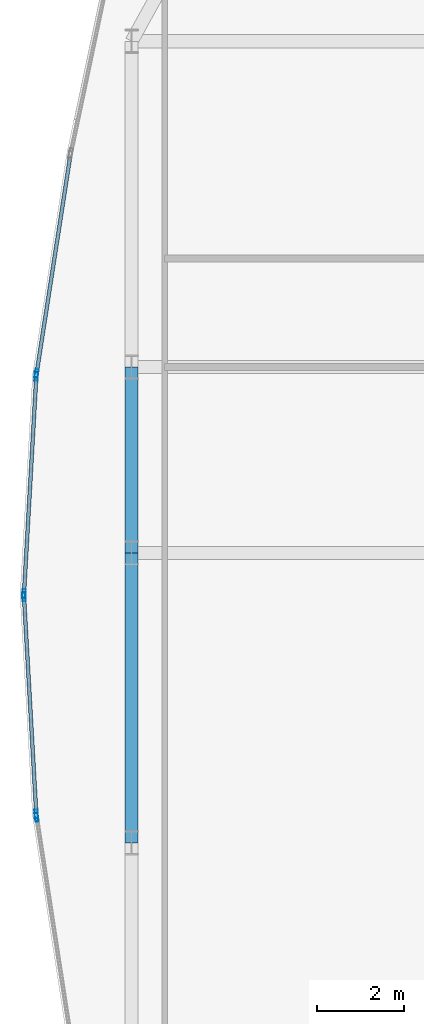
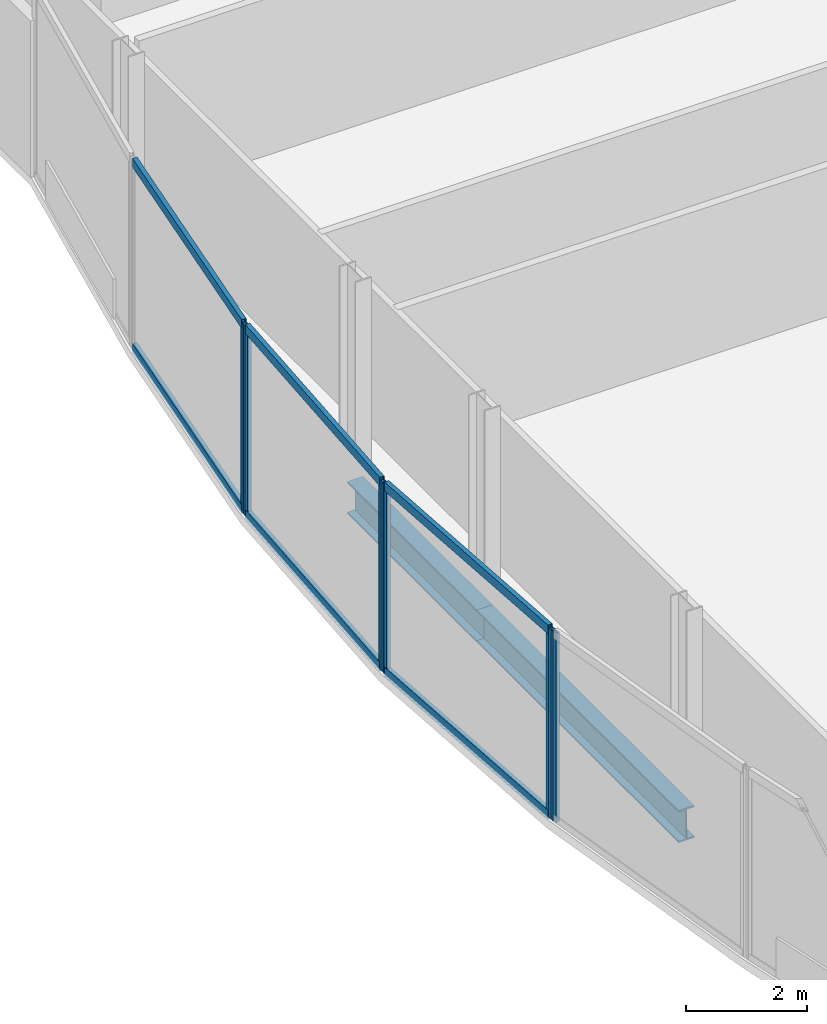
# One storey, part 10 of 35: 12 members, 2 beams, 4 elements without a shape of their own.
"""IFC4 building model written with IfcOpenShell, lengths in metres."""

from ifc_helpers import new_model, si_unit, direction, frame, origin, origin_2d, place, context, subcontext, project, spatial, hollow_rectangle, i_section, extrude, material, material_profile, profile_set, type_object, element, aggregate, save


model = new_model("IFC4")

# Units and contexts
model_context = context("Model", 3, precision=1e-05, world=origin(), true_north=direction((0.0, 1.0)))
body_context = subcontext(model_context, "Body", "Model", "MODEL_VIEW")
ifc_project = project(units=[si_unit("LENGTHUNIT", "METRE"), si_unit("AREAUNIT", "SQUARE_METRE"), si_unit("VOLUMEUNIT", "CUBIC_METRE"), si_unit("PLANEANGLEUNIT", "RADIAN"), si_unit("MASSUNIT", "GRAM", prefix="KILO")], contexts=[model_context])

# Site, building, storey
site_placement = place(None, origin())
site = spatial("IfcSite", under=ifc_project, at=site_placement, CompositionType="ELEMENT")
building_placement = place(site_placement, origin())
building = spatial("IfcBuilding", under=site, at=building_placement, Name="Khoronbel Lancet Exchange", CompositionType="ELEMENT")
storey_placement = place(building_placement, frame((0.0, 0.0, 53.800048828125)))
storey = spatial("IfcBuildingStorey", under=building, at=storey_placement, Name="L12", CompositionType="ELEMENT", Elevation=53.800048828125)

# Beams
ifc_material_1 = material(Name="Steel S355", Category="steel")
ifc_material_profile_1 = material_profile(ifc_material_1, i_section(OverallWidth=0.300048828125, OverallDepth=0.64990234375, WebThickness=0.01611328125, FlangeThickness=0.031005859375, at=origin_2d()), Name="HEB 650")
ifc_profile_set_1 = profile_set([ifc_material_profile_1], Name="Steel S355")
beam_type = type_object("IfcBeamType", Name="BM-BSP1", PredefinedType="SPANDREL", material=ifc_profile_set_1)
beam_1_placement = place(storey_placement, frame((1.27001953125, 35.699951171875, -0.505126953125), z_axis=(0.0, -1.0, 0.0), x_axis=(1.0, 0.0, 0.0)))
element("IfcBeam", 1, at=beam_1_placement, inside=storey, type_object=beam_type, Name="Level L12 perimeter spandrel beam SP18", PredefinedType="SPANDREL", context=body_context, shape_type="SweptSolid", body=[
    extrude(i_section(OverallWidth=0.300048828125, OverallDepth=0.64990234375, WebThickness=0.01611328125, FlangeThickness=0.031005859375, at=origin_2d()), origin(), (0.0, 0.0, 1.0), 4.27490234375),
])
beam_2_placement = place(storey_placement, frame((1.27001953125, 31.425048828125, -0.505126953125), z_axis=(0.0, -1.0, 0.0), x_axis=(1.0, 0.0, 0.0)))
element("IfcBeam", 2, at=beam_2_placement, inside=storey, type_object=beam_type, Name="Level L12 perimeter spandrel beam SP19", PredefinedType="SPANDREL", context=body_context, shape_type="SweptSolid", body=[
    extrude(i_section(OverallWidth=0.300048828125, OverallDepth=0.64990234375, WebThickness=0.01611328125, FlangeThickness=0.031005859375, at=origin_2d()), origin(), (0.0, 0.0, 1.0), 6.675048828125),
])

# Curtain wall, member
ifc_material_2 = material(Name="Low-E Solar Control Insulating Glass", Category="glass")
curtain_wall_type = type_object("IfcCurtainWallType", Name="CW-4", PredefinedType="NOTDEFINED", material=ifc_material_2)
curtain_wall_1_placement = place(storey_placement, origin())
curtain_wall_1 = element("IfcCurtainWall", 3, at=curtain_wall_1_placement, inside=storey, type_object=curtain_wall_type, Name="Unitised curtain wall CW-L12-E05", PredefinedType="NOTDEFINED")
ifc_material_3 = material(Name="Bronze-Anodised Aluminium 6063-T6", Category="aluminium")
ifc_material_profile_2 = material_profile(ifc_material_3, hollow_rectangle(XDim=0.074951171875, YDim=0.199951171875, WallThickness=0.0048828125, at=origin_2d()), Name="ALU MULLION 75x200")
ifc_profile_set_2 = profile_set([ifc_material_profile_2], Name="Bronze-Anodised Aluminium 6063-T6")
member_type_1 = type_object("IfcMemberType", Name="MEM-CWM2", PredefinedType="MULLION", material=ifc_profile_set_2)
member_1_placement = place(storey_placement, frame((-0.916748046875, 25.339111328125, 0.0), z_axis=(0.0, 0.0, 1.0), x_axis=(-0.988225870473, -0.153002055303, 0.0)))
member_1 = element("IfcMember", 4, at=member_1_placement, type_object=member_type_1, Name="CW4 mullion 2", PredefinedType="MULLION", context=body_context, shape_type="SweptSolid", body=[
    extrude(hollow_rectangle(XDim=0.074951171875, YDim=0.199951171875, WallThickness=0.0048828125, at=origin_2d()), origin(), (0.0, 0.0, 1.0), 3.820068359375),
])
aggregate(curtain_wall_1, [member_1])

# Curtain wall, members
curtain_wall_2_placement = place(storey_placement, origin())
curtain_wall_2 = element("IfcCurtainWall", 5, at=curtain_wall_2_placement, inside=storey, type_object=curtain_wall_type, Name="Unitised curtain wall CW-L12-E06", PredefinedType="NOTDEFINED")
member_2_placement = place(storey_placement, frame((-0.924560546875, 25.41357421875, 0.0), z_axis=(0.0, 0.0, 1.0), x_axis=(-0.998398471263, -0.056572896157, 0.0)))
member_2 = element("IfcMember", 6, at=member_2_placement, type_object=member_type_1, Name="CW4 mullion 1", PredefinedType="MULLION", context=body_context, shape_type="SweptSolid", body=[
    extrude(hollow_rectangle(XDim=0.074951171875, YDim=0.199951171875, WallThickness=0.0048828125, at=origin_2d()), origin(), (0.0, 0.0, 1.0), 3.820068359375),
])
member_3_placement = place(storey_placement, frame((-1.207763671875, 30.41259765625, 0.0), z_axis=(0.0, 0.0, 1.0), x_axis=(-0.998398471263, -0.056572896157, 0.0)))
member_3 = element("IfcMember", 7, at=member_3_placement, type_object=member_type_1, Name="CW4 mullion 2", PredefinedType="MULLION", context=body_context, shape_type="SweptSolid", body=[
    extrude(hollow_rectangle(XDim=0.074951171875, YDim=0.199951171875, WallThickness=0.0048828125, at=origin_2d()), origin(), (0.0, 0.0, 1.0), 3.820068359375),
])

curtain_wall_3_placement = place(storey_placement, origin())
curtain_wall_3 = element("IfcCurtainWall", 8, at=curtain_wall_3_placement, inside=storey, type_object=curtain_wall_type, Name="Unitised curtain wall CW-L12-E07", PredefinedType="NOTDEFINED")
member_4_placement = place(storey_placement, frame((-1.207763671875, 30.487548828125, 0.0), z_axis=(0.0, 0.0, 1.0), x_axis=(-0.998398471263, 0.056572896157, 0.0)))
member_4 = element("IfcMember", 9, at=member_4_placement, type_object=member_type_1, Name="CW4 mullion 1", PredefinedType="MULLION", context=body_context, shape_type="SweptSolid", body=[
    extrude(hollow_rectangle(XDim=0.074951171875, YDim=0.199951171875, WallThickness=0.0048828125, at=origin_2d()), origin(), (0.0, 0.0, 1.0), 3.820068359375),
])
member_5_placement = place(storey_placement, frame((-0.924560546875, 35.486328125, 0.0), z_axis=(0.0, 0.0, 1.0), x_axis=(-0.998398471263, 0.056572896157, 0.0)))
member_5 = element("IfcMember", 10, at=member_5_placement, type_object=member_type_1, Name="CW4 mullion 2", PredefinedType="MULLION", context=body_context, shape_type="SweptSolid", body=[
    extrude(hollow_rectangle(XDim=0.074951171875, YDim=0.199951171875, WallThickness=0.0048828125, at=origin_2d()), origin(), (0.0, 0.0, 1.0), 3.820068359375),
])

# Curtain wall, member
curtain_wall_4_placement = place(storey_placement, origin())
curtain_wall_4 = element("IfcCurtainWall", 11, at=curtain_wall_4_placement, inside=storey, type_object=curtain_wall_type, Name="Unitised curtain wall CW-L12-E08", PredefinedType="NOTDEFINED")
member_6_placement = place(storey_placement, frame((-0.916748046875, 35.560791015625, 0.0), z_axis=(0.0, 0.0, 1.0), x_axis=(-0.988225870473, 0.153002055303, 0.0)))
member_6 = element("IfcMember", 12, at=member_6_placement, type_object=member_type_1, Name="CW4 mullion 1", PredefinedType="MULLION", context=body_context, shape_type="SweptSolid", body=[
    extrude(hollow_rectangle(XDim=0.074951171875, YDim=0.199951171875, WallThickness=0.0048828125, at=origin_2d()), origin(), (0.0, 0.0, 1.0), 3.820068359375),
])

# Member
ifc_material_profile_3 = material_profile(ifc_material_3, hollow_rectangle(XDim=0.0849609375, YDim=0.179931640625, WallThickness=0.0048828125, at=origin_2d()), Name="ALU TRANSOM 85x180")
ifc_profile_set_3 = profile_set([ifc_material_profile_3], Name="Bronze-Anodised Aluminium 6063-T6")
member_type_2 = type_object("IfcMemberType", Name="MEM-CWT1", PredefinedType="USERDEFINED", material=ifc_profile_set_3)
member_7_placement = place(storey_placement, frame((-0.9267578125, 25.451171875, 0.04248046875), z_axis=(-0.056533795295, 0.998400686092, 0.0), x_axis=(-0.998400686092, -0.056533795295, 0.0)))
member_7 = element("IfcMember", 13, at=member_7_placement, type_object=member_type_2, Name="CW4 transom 1.1", ObjectType="TRANSOM", PredefinedType="USERDEFINED", context=body_context, shape_type="SweptSolid", body=[
    extrude(hollow_rectangle(XDim=0.0849609375, YDim=0.179931640625, WallThickness=0.0048828125, at=origin_2d()), origin(), (0.0, 0.0, 1.0), 4.931640625),
])

member_8_placement = place(storey_placement, frame((-0.9267578125, 25.451171875, 3.77734375), z_axis=(-0.056533795295, 0.998400686092, 0.0), x_axis=(-0.998400686092, -0.056533795295, 0.0)))
member_8 = element("IfcMember", 14, at=member_8_placement, type_object=member_type_2, Name="CW4 transom 1.2", ObjectType="TRANSOM", PredefinedType="USERDEFINED", context=body_context, shape_type="SweptSolid", body=[
    extrude(hollow_rectangle(XDim=0.0849609375, YDim=0.179931640625, WallThickness=0.0048828125, at=origin_2d()), origin(), (0.0, 0.0, 1.0), 4.931640625),
])

aggregate(curtain_wall_2, [member_2, member_3, member_7, member_8])

member_9_placement = place(storey_placement, frame((-1.20556640625, 30.52490234375, 0.04248046875), z_axis=(0.056531001249, 0.998400844299, 0.0), x_axis=(-0.998400844299, 0.056531001249, 0.0)))
member_9 = element("IfcMember", 15, at=member_9_placement, type_object=member_type_2, Name="CW4 transom 1.1", ObjectType="TRANSOM", PredefinedType="USERDEFINED", context=body_context, shape_type="SweptSolid", body=[
    extrude(hollow_rectangle(XDim=0.0849609375, YDim=0.179931640625, WallThickness=0.0048828125, at=origin_2d()), origin(), (0.0, 0.0, 1.0), 4.931884765625),
])

member_10_placement = place(storey_placement, frame((-1.20556640625, 30.52490234375, 3.77734375), z_axis=(0.056531001249, 0.998400844299, 0.0), x_axis=(-0.998400844299, 0.056531001249, 0.0)))
member_10 = element("IfcMember", 16, at=member_10_placement, type_object=member_type_2, Name="CW4 transom 1.2", ObjectType="TRANSOM", PredefinedType="USERDEFINED", context=body_context, shape_type="SweptSolid", body=[
    extrude(hollow_rectangle(XDim=0.0849609375, YDim=0.179931640625, WallThickness=0.0048828125, at=origin_2d()), origin(), (0.0, 0.0, 1.0), 4.931884765625),
])

aggregate(curtain_wall_3, [member_4, member_5, member_9, member_10])

member_11_placement = place(storey_placement, frame((-0.910888671875, 35.597900390625, 0.04248046875), z_axis=(0.152980447754, 0.98822921562, 0.0), x_axis=(-0.98822921562, 0.152980447754, 0.0)))
member_11 = element("IfcMember", 17, at=member_11_placement, type_object=member_type_2, Name="CW4 transom 1.1", ObjectType="TRANSOM", PredefinedType="USERDEFINED", context=body_context, shape_type="SweptSolid", body=[
    extrude(hollow_rectangle(XDim=0.0849609375, YDim=0.179931640625, WallThickness=0.0048828125, at=origin_2d()), origin(), (0.0, 0.0, 1.0), 4.987060546875),
])

member_12_placement = place(storey_placement, frame((-0.910888671875, 35.597900390625, 3.77734375), z_axis=(0.152980447754, 0.98822921562, 0.0), x_axis=(-0.98822921562, 0.152980447754, 0.0)))
member_12 = element("IfcMember", 18, at=member_12_placement, type_object=member_type_2, Name="CW4 transom 1.2", ObjectType="TRANSOM", PredefinedType="USERDEFINED", context=body_context, shape_type="SweptSolid", body=[
    extrude(hollow_rectangle(XDim=0.0849609375, YDim=0.179931640625, WallThickness=0.0048828125, at=origin_2d()), origin(), (0.0, 0.0, 1.0), 4.987060546875),
])

aggregate(curtain_wall_4, [member_6, member_11, member_12])

save(model, "model.ifc")
